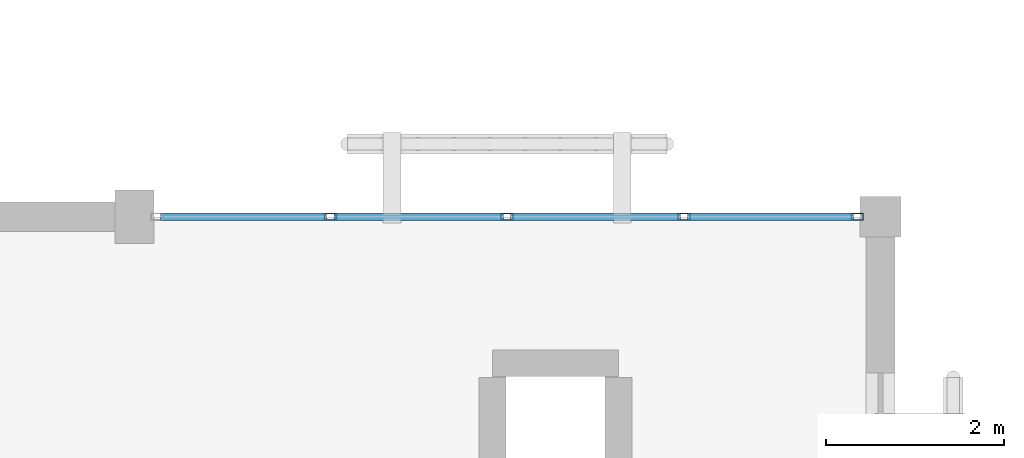
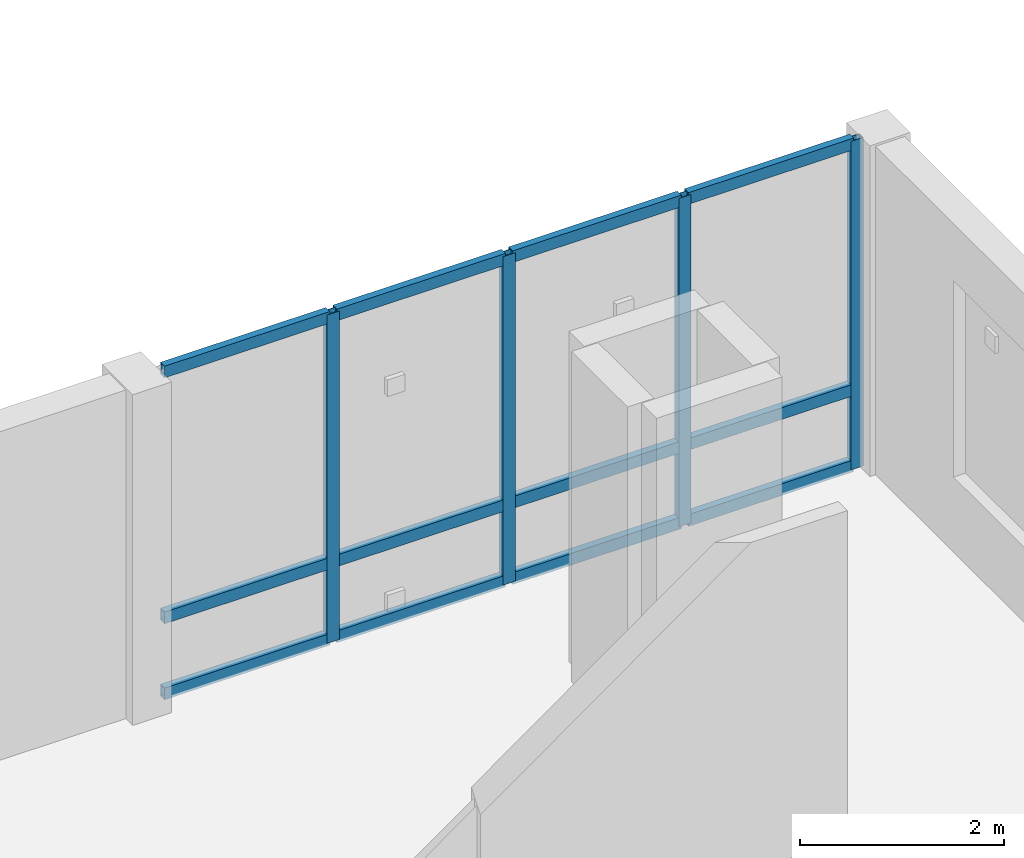
# One storey, part 51 of 217: 16 members, 1 element without a shape of its own.
"""IFC4 building model written with IfcOpenShell, lengths in metres."""

from ifc_helpers import new_model, si_unit, direction, frame, origin, origin_2d, place, context, subcontext, project, spatial, hollow_rectangle, extrude, material, layer, layer_set, material_profile, profile_set, type_object, element, aggregate, save


model = new_model("IFC4")

# Units and contexts
model_context = context("Model", 3, precision=1e-05, world=origin(), true_north=direction((0.0, 1.0)))
body_context = subcontext(model_context, "Body", "Model", "MODEL_VIEW")
ifc_project = project(units=[si_unit("LENGTHUNIT", "METRE"), si_unit("AREAUNIT", "SQUARE_METRE"), si_unit("VOLUMEUNIT", "CUBIC_METRE"), si_unit("PLANEANGLEUNIT", "RADIAN"), si_unit("MASSUNIT", "GRAM", prefix="KILO")], contexts=[model_context])

# Site, building, storey
site_placement = place(None, origin())
site = spatial("IfcSite", under=ifc_project, at=site_placement, CompositionType="ELEMENT")
building_placement = place(site_placement, origin())
building = spatial("IfcBuilding", under=site, at=building_placement, Name="Mazaris Harbour Polytechnic", CompositionType="ELEMENT")
storey_placement = place(building_placement, frame((0.0, 0.0, 9.60009765625)))
storey = spatial("IfcBuildingStorey", under=building, at=storey_placement, Name="L02", CompositionType="ELEMENT", Elevation=9.60009765625)

# Curtain wall, members
ifc_material_1 = material(Name="Anodised Bronze Aluminium and Low-E Glass", Category="aluminium")
ifc_layer = layer(ifc_material_1, 0.159912109375, Name="Anodised Bronze Aluminium and Low-E Glass")
ifc_layer_set = layer_set([ifc_layer], Name="Anodised Bronze Aluminium and Low-E Glass")
curtain_wall_type = type_object("IfcCurtainWallType", Name="Cloister Court Curtain Wall", PredefinedType="NOTDEFINED", material=ifc_layer_set)
curtain_wall_placement = place(storey_placement, origin())
curtain_wall = element("IfcCurtainWall", 1, at=curtain_wall_placement, inside=storey, type_object=curtain_wall_type, Name="V3 L02 Curtain Wall 89", PredefinedType="NOTDEFINED")
ifc_material_2 = material(Name="Anodised Bronze Steel S355", Category="steel")
ifc_material_profile_1 = material_profile(ifc_material_2, hollow_rectangle(XDim=0.080078125, YDim=0.139892578125, WallThickness=0.00634765625, at=origin_2d()), Name="RHS 80x140x6.3")
ifc_profile_set_1 = profile_set([ifc_material_profile_1], Name="Anodised Bronze Steel S355")
member_type_1 = type_object("IfcMemberType", Name="Curtain Mullion RHS80x140", PredefinedType="MULLION", material=ifc_profile_set_1)
member_1_placement = place(storey_placement, frame((106.603515625, 36.0, 0.0), z_axis=(0.0, 0.0, 1.0), x_axis=(0.0, 1.0, 0.0)))
member_1 = element("IfcMember", 2, at=member_1_placement, type_object=member_type_1, Name="CW-02 mullion 2", PredefinedType="MULLION", context=body_context, shape_type="SweptSolid", body=[
    extrude(hollow_rectangle(XDim=0.080078125, YDim=0.139892578125, WallThickness=0.00634765625, at=origin_2d()), origin(), (0.0, 0.0, 1.0), 3.934814453125),
])
member_2_placement = place(storey_placement, frame((108.594970703125, 36.0, 0.0), z_axis=(0.0, 0.0, 1.0), x_axis=(0.0, 1.0, 0.0)))
member_2 = element("IfcMember", 3, at=member_2_placement, type_object=member_type_1, Name="CW-02 mullion 3", PredefinedType="MULLION", context=body_context, shape_type="SweptSolid", body=[
    extrude(hollow_rectangle(XDim=0.080078125, YDim=0.139892578125, WallThickness=0.00634765625, at=origin_2d()), origin(), (0.0, 0.0, 1.0), 3.934814453125),
])
member_3_placement = place(storey_placement, frame((110.58642578125, 36.0, 0.0), z_axis=(0.0, 0.0, 1.0), x_axis=(0.0, 1.0, 0.0)))
member_3 = element("IfcMember", 4, at=member_3_placement, type_object=member_type_1, Name="CW-02 mullion 4", PredefinedType="MULLION", context=body_context, shape_type="SweptSolid", body=[
    extrude(hollow_rectangle(XDim=0.080078125, YDim=0.139892578125, WallThickness=0.00634765625, at=origin_2d()), origin(), (0.0, 0.0, 1.0), 3.934814453125),
])
member_4_placement = place(storey_placement, frame((112.5380859375, 36.0, 0.0), z_axis=(0.0, 0.0, 1.0), x_axis=(0.0, 1.0, 0.0)))
member_4 = element("IfcMember", 5, at=member_4_placement, type_object=member_type_1, Name="CW-02 mullion 5", PredefinedType="MULLION", context=body_context, shape_type="SweptSolid", body=[
    extrude(hollow_rectangle(XDim=0.080078125, YDim=0.139892578125, WallThickness=0.00634765625, at=origin_2d()), origin(), (0.0, 0.0, 1.0), 3.934814453125),
])
ifc_material_3 = material(Name="Anodised Bronze Steel S355", Category="steel")
ifc_material_profile_2 = material_profile(ifc_material_3, hollow_rectangle(XDim=0.080078125, YDim=0.139892578125, WallThickness=0.00634765625, at=origin_2d()), Name="RHS 80x140x6.3")
ifc_profile_set_2 = profile_set([ifc_material_profile_2], Name="Anodised Bronze Steel S355")
member_type_2 = type_object("IfcMemberType", Name="Curtain Transom RHS80x140", PredefinedType="USERDEFINED", material=ifc_profile_set_2)
member_5_placement = place(storey_placement, frame((104.69189453125, 36.0, 0.039794921875), z_axis=(1.0, 0.0, 0.0), x_axis=(0.0, 1.0, 0.0)))
member_5 = element("IfcMember", 6, at=member_5_placement, type_object=member_type_2, Name="CW-02 transom 1.1", ObjectType="TRANSOM", PredefinedType="USERDEFINED", context=body_context, shape_type="SweptSolid", body=[
    extrude(hollow_rectangle(XDim=0.080078125, YDim=0.139892578125, WallThickness=0.00634765625, at=origin_2d()), origin(), (0.0, 0.0, 1.0), 1.87158203125),
])
member_6_placement = place(storey_placement, frame((104.69189453125, 36.0, 0.949951171875), z_axis=(1.0, 0.0, 0.0), x_axis=(0.0, 1.0, 0.0)))
member_6 = element("IfcMember", 7, at=member_6_placement, type_object=member_type_2, Name="CW-02 transom 1.2", ObjectType="TRANSOM", PredefinedType="USERDEFINED", context=body_context, shape_type="SweptSolid", body=[
    extrude(hollow_rectangle(XDim=0.080078125, YDim=0.139892578125, WallThickness=0.00634765625, at=origin_2d()), origin(), (0.0, 0.0, 1.0), 1.87158203125),
])
member_7_placement = place(storey_placement, frame((104.69189453125, 36.0, 3.89501953125), z_axis=(1.0, 0.0, 0.0), x_axis=(0.0, 1.0, 0.0)))
member_7 = element("IfcMember", 8, at=member_7_placement, type_object=member_type_2, Name="CW-02 transom 1.3", ObjectType="TRANSOM", PredefinedType="USERDEFINED", context=body_context, shape_type="SweptSolid", body=[
    extrude(hollow_rectangle(XDim=0.080078125, YDim=0.139892578125, WallThickness=0.00634765625, at=origin_2d()), origin(), (0.0, 0.0, 1.0), 1.87158203125),
])
member_8_placement = place(storey_placement, frame((106.6435546875, 36.0, 0.039794921875), z_axis=(1.0, 0.0, 0.0), x_axis=(0.0, 1.0, 0.0)))
member_8 = element("IfcMember", 9, at=member_8_placement, type_object=member_type_2, Name="CW-02 transom 2.1", ObjectType="TRANSOM", PredefinedType="USERDEFINED", context=body_context, shape_type="SweptSolid", body=[
    extrude(hollow_rectangle(XDim=0.080078125, YDim=0.139892578125, WallThickness=0.00634765625, at=origin_2d()), origin(), (0.0, 0.0, 1.0), 1.911376953125),
])
member_9_placement = place(storey_placement, frame((106.6435546875, 36.0, 0.949951171875), z_axis=(1.0, 0.0, 0.0), x_axis=(0.0, 1.0, 0.0)))
member_9 = element("IfcMember", 10, at=member_9_placement, type_object=member_type_2, Name="CW-02 transom 2.2", ObjectType="TRANSOM", PredefinedType="USERDEFINED", context=body_context, shape_type="SweptSolid", body=[
    extrude(hollow_rectangle(XDim=0.080078125, YDim=0.139892578125, WallThickness=0.00634765625, at=origin_2d()), origin(), (0.0, 0.0, 1.0), 1.911376953125),
])
member_10_placement = place(storey_placement, frame((106.6435546875, 36.0, 3.89501953125), z_axis=(1.0, 0.0, 0.0), x_axis=(0.0, 1.0, 0.0)))
member_10 = element("IfcMember", 11, at=member_10_placement, type_object=member_type_2, Name="CW-02 transom 2.3", ObjectType="TRANSOM", PredefinedType="USERDEFINED", context=body_context, shape_type="SweptSolid", body=[
    extrude(hollow_rectangle(XDim=0.080078125, YDim=0.139892578125, WallThickness=0.00634765625, at=origin_2d()), origin(), (0.0, 0.0, 1.0), 1.911376953125),
])
member_11_placement = place(storey_placement, frame((108.635009765625, 36.0, 0.039794921875), z_axis=(1.0, 0.0, 0.0), x_axis=(0.0, 1.0, 0.0)))
member_11 = element("IfcMember", 12, at=member_11_placement, type_object=member_type_2, Name="CW-02 transom 3.1", ObjectType="TRANSOM", PredefinedType="USERDEFINED", context=body_context, shape_type="SweptSolid", body=[
    extrude(hollow_rectangle(XDim=0.080078125, YDim=0.139892578125, WallThickness=0.00634765625, at=origin_2d()), origin(), (0.0, 0.0, 1.0), 1.911376953125),
])
member_12_placement = place(storey_placement, frame((108.635009765625, 36.0, 0.949951171875), z_axis=(1.0, 0.0, 0.0), x_axis=(0.0, 1.0, 0.0)))
member_12 = element("IfcMember", 13, at=member_12_placement, type_object=member_type_2, Name="CW-02 transom 3.2", ObjectType="TRANSOM", PredefinedType="USERDEFINED", context=body_context, shape_type="SweptSolid", body=[
    extrude(hollow_rectangle(XDim=0.080078125, YDim=0.139892578125, WallThickness=0.00634765625, at=origin_2d()), origin(), (0.0, 0.0, 1.0), 1.911376953125),
])
member_13_placement = place(storey_placement, frame((108.635009765625, 36.0, 3.89501953125), z_axis=(1.0, 0.0, 0.0), x_axis=(0.0, 1.0, 0.0)))
member_13 = element("IfcMember", 14, at=member_13_placement, type_object=member_type_2, Name="CW-02 transom 3.3", ObjectType="TRANSOM", PredefinedType="USERDEFINED", context=body_context, shape_type="SweptSolid", body=[
    extrude(hollow_rectangle(XDim=0.080078125, YDim=0.139892578125, WallThickness=0.00634765625, at=origin_2d()), origin(), (0.0, 0.0, 1.0), 1.911376953125),
])
member_14_placement = place(storey_placement, frame((110.62646484375, 36.0, 0.039794921875), z_axis=(1.0, 0.0, 0.0), x_axis=(0.0, 1.0, 0.0)))
member_14 = element("IfcMember", 15, at=member_14_placement, type_object=member_type_2, Name="CW-02 transom 4.1", ObjectType="TRANSOM", PredefinedType="USERDEFINED", context=body_context, shape_type="SweptSolid", body=[
    extrude(hollow_rectangle(XDim=0.080078125, YDim=0.139892578125, WallThickness=0.00634765625, at=origin_2d()), origin(), (0.0, 0.0, 1.0), 1.87158203125),
])
member_15_placement = place(storey_placement, frame((110.62646484375, 36.0, 0.949951171875), z_axis=(1.0, 0.0, 0.0), x_axis=(0.0, 1.0, 0.0)))
member_15 = element("IfcMember", 16, at=member_15_placement, type_object=member_type_2, Name="CW-02 transom 4.2", ObjectType="TRANSOM", PredefinedType="USERDEFINED", context=body_context, shape_type="SweptSolid", body=[
    extrude(hollow_rectangle(XDim=0.080078125, YDim=0.139892578125, WallThickness=0.00634765625, at=origin_2d()), origin(), (0.0, 0.0, 1.0), 1.87158203125),
])
member_16_placement = place(storey_placement, frame((110.62646484375, 36.0, 3.89501953125), z_axis=(1.0, 0.0, 0.0), x_axis=(0.0, 1.0, 0.0)))
member_16 = element("IfcMember", 17, at=member_16_placement, type_object=member_type_2, Name="CW-02 transom 4.3", ObjectType="TRANSOM", PredefinedType="USERDEFINED", context=body_context, shape_type="SweptSolid", body=[
    extrude(hollow_rectangle(XDim=0.080078125, YDim=0.139892578125, WallThickness=0.00634765625, at=origin_2d()), origin(), (0.0, 0.0, 1.0), 1.87158203125),
])
aggregate(curtain_wall, [member_1, member_2, member_3, member_4, member_5, member_6, member_7, member_8, member_9, member_10, member_11, member_12, member_13, member_14, member_15, member_16])

save(model, "model.ifc")
